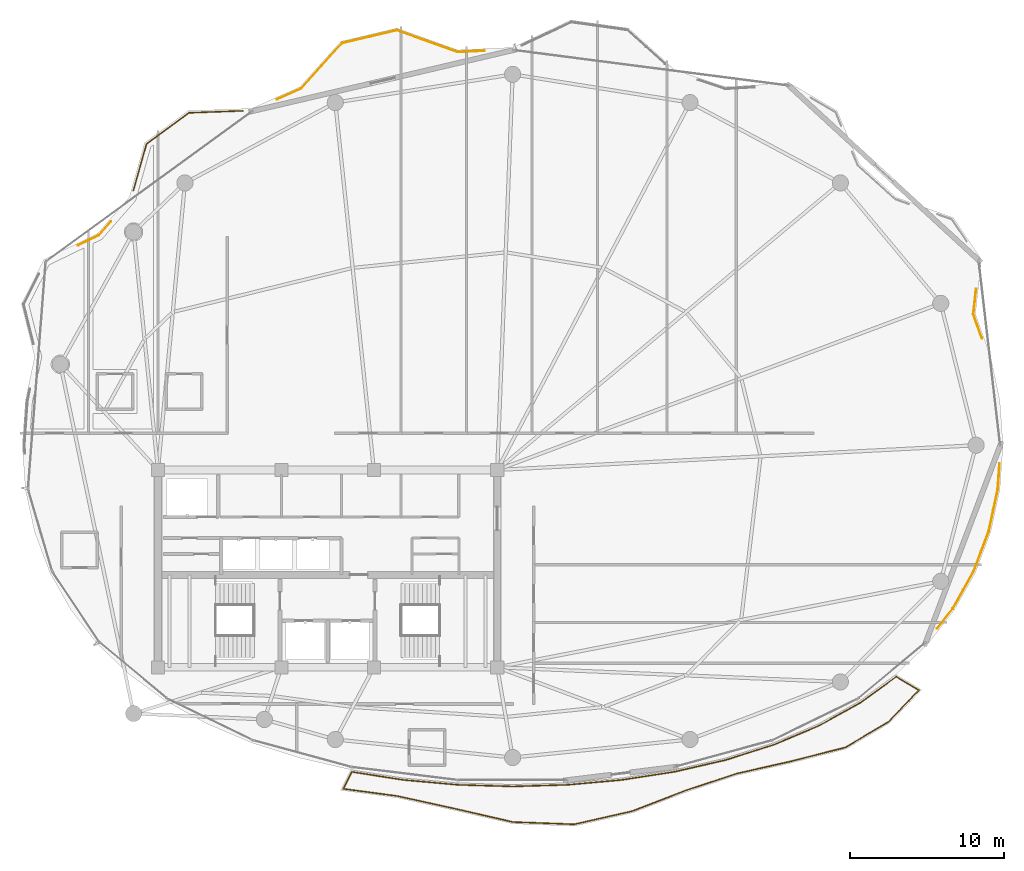
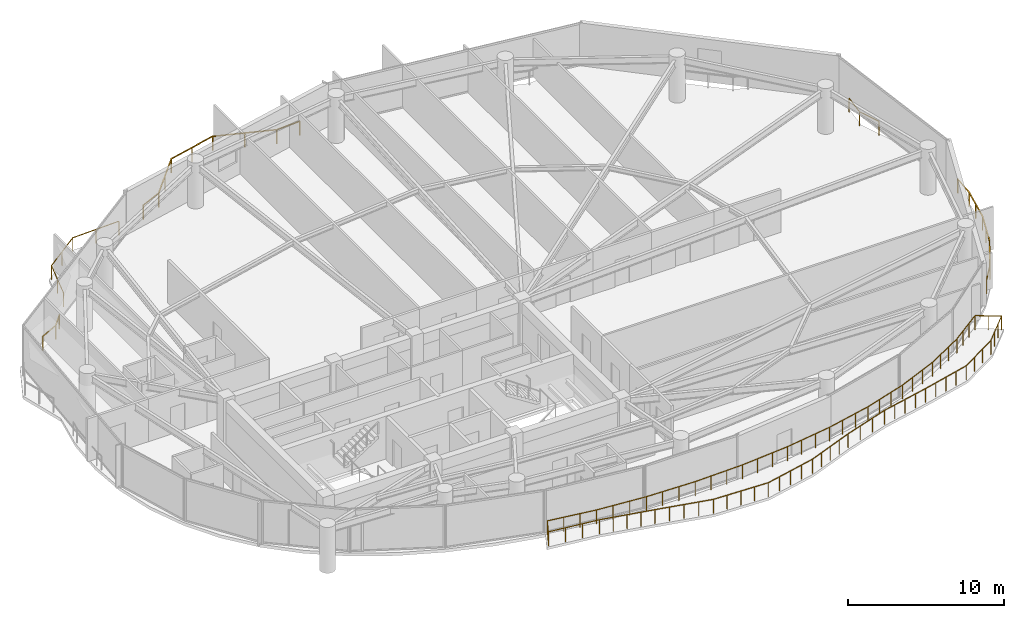
# One storey, part 30 of 31: 6 railings.
"""IFC4 building model written with IfcOpenShell, lengths in metres."""

from ifc_helpers import new_model, si_unit, direction, frame, origin, origin_2d, place, context, subcontext, project, spatial, rectangle, extrude, material, type_object, element, save


model = new_model("IFC4")

# Units and contexts
model_context = context("Model", 3, precision=1e-05, world=origin(), true_north=direction((0.0, 1.0)))
body_context = subcontext(model_context, "Body", "Model", "MODEL_VIEW")
ifc_project = project(units=[si_unit("LENGTHUNIT", "METRE"), si_unit("AREAUNIT", "SQUARE_METRE"), si_unit("VOLUMEUNIT", "CUBIC_METRE"), si_unit("PLANEANGLEUNIT", "RADIAN"), si_unit("MASSUNIT", "GRAM", prefix="KILO")], contexts=[model_context])

# Site, building, storey
site_placement = place(None, origin())
site = spatial("IfcSite", under=ifc_project, at=site_placement, CompositionType="ELEMENT")
building_placement = place(site_placement, origin())
building = spatial("IfcBuilding", under=site, at=building_placement, Name="Kazevale Care Tower and Concert Hall", CompositionType="ELEMENT")
storey_placement = place(building_placement, frame((0.0, 0.0, 220.800048828125)))
storey = spatial("IfcBuildingStorey", under=building, at=storey_placement, Name="L58", CompositionType="ELEMENT", Elevation=220.800048828125)

# Railings
ifc_material = material(Name="Anodised Bronze Aluminium and Laminated Glass", Category="aluminium")
railing_type = type_object("IfcRailingType", Name="Balcony and Terrace Balustrade 1120", PredefinedType="BALUSTRADE", material=ifc_material)
railing_1_placement = place(storey_placement, frame((16.83203125, 50.968994140625, 0.0)))
element("IfcRailing", 1, at=railing_1_placement, inside=storey, type_object=railing_type, Name="rail:L58:perim:3", PredefinedType="BALUSTRADE", context=body_context, shape_type="SweptSolid", body=[
    extrude(rectangle(XDim=0.048095703125, YDim=0.048095703125, at=origin_2d()), frame((0.0, 0.0, 1.09619140625), z_axis=(0.899880965399, 0.436135584553, 0.0), x_axis=(-0.436135584553, 0.899880965399, 0.0)), (0.0, 0.0, 1.0), 1.476806640625),
    extrude(rectangle(XDim=0.048095703125, YDim=0.048095703125, at=origin_2d()), frame((1.328857421875, 0.64404296875, 1.09619140625), z_axis=(0.658533673371, 0.752551261402, 0.0), x_axis=(-0.752551261402, 0.658533673371, 0.0)), (0.0, 0.0, 1.0), 1.189208984375),
    extrude(rectangle(XDim=0.0419921875, YDim=0.0419921875, at=origin_2d()), origin(), (0.0, 0.0, 1.0), 1.072021484375),
    extrude(rectangle(XDim=0.0419921875, YDim=0.0419921875, at=origin_2d()), frame((1.328857421875, 0.64404296875, 0.0)), (0.0, 0.0, 1.0), 1.072021484375),
    extrude(rectangle(XDim=0.0419921875, YDim=0.0419921875, at=origin_2d()), frame((2.112060546875, 1.5390625, 0.0)), (0.0, 0.0, 1.0), 1.072021484375),
])
railing_2_placement = place(storey_placement, frame((20.403076171875, 54.511962890625, 0.0)))
element("IfcRailing", 2, at=railing_2_placement, inside=storey, type_object=railing_type, Name="rail:L58:perim:4", PredefinedType="BALUSTRADE", context=body_context, shape_type="SweptSolid", body=[
    extrude(rectangle(XDim=0.048095703125, YDim=0.048095703125, at=origin_2d()), frame((0.0, 0.0, 1.09619140625), z_axis=(0.27160216444, 0.962409613559, 0.0), x_axis=(-0.962409613559, 0.27160216444, 0.0)), (0.0, 0.0, 1.0), 3.144287109375),
    extrude(rectangle(XDim=0.048095703125, YDim=0.048095703125, at=origin_2d()), frame((0.85400390625, 3.026123046875, 1.09619140625), z_axis=(0.805881115656, 0.592077382973, 0.0), x_axis=(-0.592077382973, 0.805881115656, 0.0)), (0.0, 0.0, 1.0), 3.40966796875),
    extrude(rectangle(XDim=0.048095703125, YDim=0.048095703125, at=origin_2d()), frame((3.601806640625, 5.044921875, 1.09619140625), z_axis=(0.999339175446, 0.036348485787, 0.0), x_axis=(-0.036348485787, 0.999339175446, 0.0)), (0.0, 0.0, 1.0), 3.499267578125),
    extrude(rectangle(XDim=0.0419921875, YDim=0.0419921875, at=origin_2d()), origin(), (0.0, 0.0, 1.0), 1.072021484375),
    extrude(rectangle(XDim=0.0419921875, YDim=0.0419921875, at=origin_2d()), frame((0.427001953125, 1.51318359375, 0.0)), (0.0, 0.0, 1.0), 1.072021484375),
    extrude(rectangle(XDim=0.0419921875, YDim=0.0419921875, at=origin_2d()), frame((0.85400390625, 3.026123046875, 0.0)), (0.0, 0.0, 1.0), 1.072021484375),
    extrude(rectangle(XDim=0.0419921875, YDim=0.0419921875, at=origin_2d()), frame((2.22802734375, 4.03564453125, 0.0)), (0.0, 0.0, 1.0), 1.072021484375),
    extrude(rectangle(XDim=0.0419921875, YDim=0.0419921875, at=origin_2d()), frame((3.601806640625, 5.044921875, 0.0)), (0.0, 0.0, 1.0), 1.072021484375),
    extrude(rectangle(XDim=0.0419921875, YDim=0.0419921875, at=origin_2d()), frame((5.350341796875, 5.1083984375, 0.0)), (0.0, 0.0, 1.0), 1.072021484375),
    extrude(rectangle(XDim=0.0419921875, YDim=0.0419921875, at=origin_2d()), frame((7.098876953125, 5.172119140625, 0.0)), (0.0, 0.0, 1.0), 1.072021484375),
])
railing_3_placement = place(storey_placement, frame((29.737060546875, 60.43505859375, 0.0)))
element("IfcRailing", 3, at=railing_3_placement, inside=storey, type_object=railing_type, Name="rail:L58:perim:5", PredefinedType="BALUSTRADE", context=body_context, shape_type="SweptSolid", body=[
    extrude(rectangle(XDim=0.048095703125, YDim=0.048095703125, at=origin_2d()), frame((0.0, 0.0, 1.09619140625), z_axis=(0.912729386392, 0.408564642641, 0.0), x_axis=(-0.408564642641, 0.912729386392, 0.0)), (0.0, 0.0, 1.0), 1.6982421875),
    extrude(rectangle(XDim=0.048095703125, YDim=0.048095703125, at=origin_2d()), frame((1.550048828125, 0.69384765625, 1.09619140625), z_axis=(0.668500240789, 0.743711925456, 0.0), x_axis=(-0.743711925456, 0.668500240789, 0.0)), (0.0, 0.0, 1.0), 3.950439453125),
    extrude(rectangle(XDim=0.048095703125, YDim=0.048095703125, at=origin_2d()), frame((4.19091796875, 3.6318359375, 1.09619140625), z_axis=(0.97312090779, 0.2302948085, 0.0), x_axis=(-0.2302948085, 0.97312090779, 0.0)), (0.0, 0.0, 1.0), 3.652099609375),
    extrude(rectangle(XDim=0.048095703125, YDim=0.048095703125, at=origin_2d()), frame((7.744873046875, 4.472900390625, 1.09619140625), z_axis=(0.941350252636, -0.337431032749, 0.0), x_axis=(0.337431032749, 0.941350252636, 0.0)), (0.0, 0.0, 1.0), 4.18115234375),
    extrude(rectangle(XDim=0.048095703125, YDim=0.048095703125, at=origin_2d()), frame((11.680908203125, 3.06201171875, 1.09619140625), z_axis=(0.998977358959, 0.045213231333, 0.0), x_axis=(-0.045213231333, 0.998977358959, 0.0)), (0.0, 0.0, 1.0), 1.765625),
    extrude(rectangle(XDim=0.0419921875, YDim=0.0419921875, at=origin_2d()), origin(), (0.0, 0.0, 1.0), 1.072021484375),
    extrude(rectangle(XDim=0.0419921875, YDim=0.0419921875, at=origin_2d()), frame((1.550048828125, 0.69384765625, 0.0)), (0.0, 0.0, 1.0), 1.072021484375),
    extrude(rectangle(XDim=0.0419921875, YDim=0.0419921875, at=origin_2d()), frame((2.87060546875, 2.162841796875, 0.0)), (0.0, 0.0, 1.0), 1.072021484375),
    extrude(rectangle(XDim=0.0419921875, YDim=0.0419921875, at=origin_2d()), frame((4.19091796875, 3.6318359375, 0.0)), (0.0, 0.0, 1.0), 1.072021484375),
    extrude(rectangle(XDim=0.0419921875, YDim=0.0419921875, at=origin_2d()), frame((5.9677734375, 4.05224609375, 0.0)), (0.0, 0.0, 1.0), 1.072021484375),
    extrude(rectangle(XDim=0.0419921875, YDim=0.0419921875, at=origin_2d()), frame((7.744873046875, 4.472900390625, 0.0)), (0.0, 0.0, 1.0), 1.072021484375),
    extrude(rectangle(XDim=0.0419921875, YDim=0.0419921875, at=origin_2d()), frame((9.712890625, 3.767578125, 0.0)), (0.0, 0.0, 1.0), 1.072021484375),
    extrude(rectangle(XDim=0.0419921875, YDim=0.0419921875, at=origin_2d()), frame((11.680908203125, 3.06201171875, 0.0)), (0.0, 0.0, 1.0), 1.072021484375),
    extrude(rectangle(XDim=0.0419921875, YDim=0.0419921875, at=origin_2d()), frame((13.44482421875, 3.141845703125, 0.0)), (0.0, 0.0, 1.0), 1.072021484375),
])
railing_4_placement = place(storey_placement, frame((76.576904296875, 36.81103515625, 0.0)))
element("IfcRailing", 4, at=railing_4_placement, inside=storey, type_object=railing_type, Name="rail:L58:perim:11", PredefinedType="BALUSTRADE", context=body_context, shape_type="SweptSolid", body=[
    extrude(rectangle(XDim=0.048095703125, YDim=0.048095703125, at=origin_2d()), frame((0.0, 0.0, 1.09619140625), z_axis=(-0.069683140934, -0.997569175481, 0.0), x_axis=(0.997569175481, -0.069683140934, 0.0)), (0.0, 0.0, 1.0), 1.664306640625),
    extrude(rectangle(XDim=0.048095703125, YDim=0.048095703125, at=origin_2d()), frame((-0.115966796875, -1.66015625, 1.09619140625), z_axis=(-0.210886672564, -0.97751051725, 0.0), x_axis=(0.97751051725, -0.210886672564, 0.0)), (0.0, 0.0, 1.0), 2.81201171875),
    extrude(rectangle(XDim=0.048095703125, YDim=0.048095703125, at=origin_2d()), frame((-0.708984375, -4.408935546875, 1.09619140625), z_axis=(-0.352914941795, -0.935655408715, 0.0), x_axis=(0.935655408715, -0.352914941795, 0.0)), (0.0, 0.0, 1.0), 2.77685546875),
    extrude(rectangle(XDim=0.048095703125, YDim=0.048095703125, at=origin_2d()), frame((-1.68896484375, -7.007080078125, 1.09619140625), z_axis=(-0.490131162051, -0.871648692987, 0.0), x_axis=(0.871648692987, -0.490131162051, 0.0)), (0.0, 0.0, 1.0), 2.762451171875),
    extrude(rectangle(XDim=0.048095703125, YDim=0.048095703125, at=origin_2d()), frame((-3.04296875, -9.4150390625, 1.09619140625), z_axis=(-0.615507243123, -0.788131228707, 0.0), x_axis=(0.788131228707, -0.615507243123, 0.0)), (0.0, 0.0, 1.0), 1.6279296875),
    extrude(rectangle(XDim=0.0419921875, YDim=0.0419921875, at=origin_2d()), origin(), (0.0, 0.0, 1.0), 1.072021484375),
    extrude(rectangle(XDim=0.0419921875, YDim=0.0419921875, at=origin_2d()), frame((-0.115966796875, -1.66015625, 0.0)), (0.0, 0.0, 1.0), 1.072021484375),
    extrude(rectangle(XDim=0.0419921875, YDim=0.0419921875, at=origin_2d()), frame((-0.41259765625, -3.03466796875, 0.0)), (0.0, 0.0, 1.0), 1.072021484375),
    extrude(rectangle(XDim=0.0419921875, YDim=0.0419921875, at=origin_2d()), frame((-0.708984375, -4.408935546875, 0.0)), (0.0, 0.0, 1.0), 1.072021484375),
    extrude(rectangle(XDim=0.0419921875, YDim=0.0419921875, at=origin_2d()), frame((-1.198974609375, -5.7080078125, 0.0)), (0.0, 0.0, 1.0), 1.072021484375),
    extrude(rectangle(XDim=0.0419921875, YDim=0.0419921875, at=origin_2d()), frame((-1.68896484375, -7.007080078125, 0.0)), (0.0, 0.0, 1.0), 1.072021484375),
    extrude(rectangle(XDim=0.0419921875, YDim=0.0419921875, at=origin_2d()), frame((-2.365966796875, -8.2109375, 0.0)), (0.0, 0.0, 1.0), 1.072021484375),
    extrude(rectangle(XDim=0.0419921875, YDim=0.0419921875, at=origin_2d()), frame((-3.04296875, -9.4150390625, 0.0)), (0.0, 0.0, 1.0), 1.072021484375),
    extrude(rectangle(XDim=0.0419921875, YDim=0.0419921875, at=origin_2d()), frame((-4.044921875, -10.697998046875, 0.0)), (0.0, 0.0, 1.0), 1.072021484375),
])
railing_5_placement = place(storey_placement, frame((75.054931640625, 48.138916015625, 0.0)))
element("IfcRailing", 5, at=railing_5_placement, inside=storey, type_object=railing_type, Name="rail:L58:perim:12", PredefinedType="BALUSTRADE", context=body_context, shape_type="SweptSolid", body=[
    extrude(rectangle(XDim=0.048095703125, YDim=0.048095703125, at=origin_2d()), frame((0.0, 0.0, 1.09619140625), z_axis=(-0.110627099756, -0.993861984784, 0.0), x_axis=(0.993861984784, -0.110627099756, 0.0)), (0.0, 0.0, 1.0), 1.64404296875),
    extrude(rectangle(XDim=0.048095703125, YDim=0.048095703125, at=origin_2d()), frame((-0.181884765625, -1.634033203125, 1.09619140625), z_axis=(0.334582750454, -0.942366374134, 0.0), x_axis=(0.942366374134, 0.334582750454, 0.0)), (0.0, 0.0, 1.0), 1.65869140625),
    extrude(rectangle(XDim=0.0419921875, YDim=0.0419921875, at=origin_2d()), origin(), (0.0, 0.0, 1.0), 1.072021484375),
    extrude(rectangle(XDim=0.0419921875, YDim=0.0419921875, at=origin_2d()), frame((-0.181884765625, -1.634033203125, 0.0)), (0.0, 0.0, 1.0), 1.072021484375),
    extrude(rectangle(XDim=0.0419921875, YDim=0.0419921875, at=origin_2d()), frame((0.373046875, -3.197021484375, 0.0)), (0.0, 0.0, 1.0), 1.072021484375),
])
railing_6_placement = place(storey_placement, frame((34.56298828125, 16.819091796875, 0.0)))
element("IfcRailing", 6, at=railing_6_placement, inside=storey, type_object=railing_type, Name="rail:L58:balcony", PredefinedType="BALUSTRADE", context=body_context, shape_type="SweptSolid", body=[
    extrude(rectangle(XDim=0.048095703125, YDim=0.048095703125, at=origin_2d()), frame((0.0, 0.0, 1.09619140625), z_axis=(0.988093340761, -0.15385561395, 0.0), x_axis=(0.15385561395, 0.988093340761, 0.0)), (0.0, 0.0, 1.0), 3.38623046875),
    extrude(rectangle(XDim=0.048095703125, YDim=0.048095703125, at=origin_2d()), frame((3.345947265625, -0.52099609375, 1.09619140625), z_axis=(0.995947899496, -0.089932093766, 0.0), x_axis=(0.089932093766, 0.995947899496, 0.0)), (0.0, 0.0, 1.0), 3.537353515625),
    extrude(rectangle(XDim=0.048095703125, YDim=0.048095703125, at=origin_2d()), frame((6.868896484375, -0.839111328125, 1.09619140625), z_axis=(0.999567458851, -0.029409100739, 0.0), x_axis=(0.029409100739, 0.999567458851, 0.0)), (0.0, 0.0, 1.0), 3.569580078125),
    extrude(rectangle(XDim=0.048095703125, YDim=0.048095703125, at=origin_2d()), frame((10.43701171875, -0.944091796875, 1.09619140625), z_axis=(0.999567458851, 0.029409100739, 0.0), x_axis=(-0.029409100739, 0.999567458851, 0.0)), (0.0, 0.0, 1.0), 3.569580078125),
    extrude(rectangle(XDim=0.048095703125, YDim=0.048095703125, at=origin_2d()), frame((14.005126953125, -0.839111328125, 1.09619140625), z_axis=(0.995947899496, 0.089932093766, 0.0), x_axis=(-0.089932093766, 0.995947899496, 0.0)), (0.0, 0.0, 1.0), 3.537353515625),
    extrude(rectangle(XDim=0.048095703125, YDim=0.048095703125, at=origin_2d()), frame((17.528076171875, -0.52099609375, 1.09619140625), z_axis=(0.988098216207, 0.153824299539, 0.0), x_axis=(-0.153824299539, 0.988098216207, 0.0)), (0.0, 0.0, 1.0), 3.4775390625),
    extrude(rectangle(XDim=0.048095703125, YDim=0.048095703125, at=origin_2d()), frame((20.964111328125, 0.013916015625, 1.09619140625), z_axis=(0.974534254558, 0.224238682418, 0.0), x_axis=(-0.224238682418, 0.974534254558, 0.0)), (0.0, 0.0, 1.0), 3.389404296875),
    extrude(rectangle(XDim=0.048095703125, YDim=0.048095703125, at=origin_2d()), frame((24.26708984375, 0.77392578125, 1.09619140625), z_axis=(0.953239514235, 0.302215864078, 0.0), x_axis=(-0.302215864078, 0.953239514235, 0.0)), (0.0, 0.0, 1.0), 3.285400390625),
    extrude(rectangle(XDim=0.048095703125, YDim=0.048095703125, at=origin_2d()), frame((27.39892578125, 1.766845703125, 1.09619140625), z_axis=(0.921006567992, 0.389547046858, 0.0), x_axis=(-0.389547046858, 0.921006567992, 0.0)), (0.0, 0.0, 1.0), 3.170654296875),
    extrude(rectangle(XDim=0.048095703125, YDim=0.048095703125, at=origin_2d()), frame((30.319091796875, 3.001953125, 1.09619140625), z_axis=(0.874149737903, 0.485656499724, 0.0), x_axis=(-0.485656499724, 0.874149737903, 0.0)), (0.0, 0.0, 1.0), 3.055419921875),
    extrude(rectangle(XDim=0.048095703125, YDim=0.048095703125, at=origin_2d()), frame((32.989990234375, 4.48583984375, 1.09619140625), z_axis=(0.809111467971, 0.587655198562, 0.0), x_axis=(-0.587655198562, 0.809111467971, 0.0)), (0.0, 0.0, 1.0), 2.867431640625),
    extrude(rectangle(XDim=0.048095703125, YDim=0.048095703125, at=origin_2d()), frame((35.31005859375, 6.1708984375, 1.09619140625), z_axis=(0.85858418894, -0.512672595818, 0.0), x_axis=(0.512672595818, 0.85858418894, 0.0)), (0.0, 0.0, 1.0), 1.71435546875),
    extrude(rectangle(XDim=0.048095703125, YDim=0.048095703125, at=origin_2d()), frame((36.781982421875, 5.2919921875, 1.09619140625), z_axis=(-0.695569922239, -0.718458407479, 0.0), x_axis=(0.718458407479, -0.695569922239, 0.0)), (0.0, 0.0, 1.0), 2.847900390625),
    extrude(rectangle(XDim=0.048095703125, YDim=0.048095703125, at=origin_2d()), frame((34.801025390625, 3.245849609375, 1.09619140625), z_axis=(-0.859486704174, -0.511158102106, 0.0), x_axis=(0.511158102106, -0.859486704174, 0.0)), (0.0, 0.0, 1.0), 3.24169921875),
    extrude(rectangle(XDim=0.048095703125, YDim=0.048095703125, at=origin_2d()), frame((32.014892578125, 1.5888671875, 1.09619140625), z_axis=(-0.968865461963, -0.247587795772, 0.0), x_axis=(0.247587795772, -0.968865461963, 0.0)), (0.0, 0.0, 1.0), 3.6474609375),
    extrude(rectangle(XDim=0.048095703125, YDim=0.048095703125, at=origin_2d()), frame((28.48095703125, 0.685791015625, 1.09619140625), z_axis=(-0.975393580974, -0.220470774013, 0.0), x_axis=(0.220470774013, -0.975393580974, 0.0)), (0.0, 0.0, 1.0), 3.60546875),
    extrude(rectangle(XDim=0.048095703125, YDim=0.048095703125, at=origin_2d()), frame((24.964111328125, -0.109130859375, 1.09619140625), z_axis=(-0.949113452756, -0.314934364268, 0.0), x_axis=(0.314934364268, -0.949113452756, 0.0)), (0.0, 0.0, 1.0), 3.51171875),
    extrude(rectangle(XDim=0.048095703125, YDim=0.048095703125, at=origin_2d()), frame((21.631103515625, -1.215087890625, 1.09619140625), z_axis=(-0.932492019345, -0.361190578308, 0.0), x_axis=(0.361190578308, -0.932492019345, 0.0)), (0.0, 0.0, 1.0), 3.66015625),
    extrude(rectangle(XDim=0.048095703125, YDim=0.048095703125, at=origin_2d()), frame((18.218017578125, -2.537109375, 1.09619140625), z_axis=(-0.974917543519, -0.222566357158, 0.0), x_axis=(0.222566357158, -0.974917543519, 0.0)), (0.0, 0.0, 1.0), 3.873291015625),
    extrude(rectangle(XDim=0.048095703125, YDim=0.048095703125, at=origin_2d()), frame((14.44189453125, -3.399169921875, 1.09619140625), z_axis=(-0.999310553949, 0.037127035515, 0.0), x_axis=(-0.037127035515, -0.999310553949, 0.0)), (0.0, 0.0, 1.0), 3.991455078125),
    extrude(rectangle(XDim=0.048095703125, YDim=0.048095703125, at=origin_2d()), frame((10.453125, -3.2509765625, 1.09619140625), z_axis=(-0.974552884513, 0.224157701825, 0.0), x_axis=(-0.224157701825, -0.974552884513, 0.0)), (0.0, 0.0, 1.0), 3.9384765625),
    extrude(rectangle(XDim=0.048095703125, YDim=0.048095703125, at=origin_2d()), frame((6.614990234375, -2.3681640625, 1.09619140625), z_axis=(-0.976652953385, 0.214823203226, 0.0), x_axis=(-0.214823203226, -0.976652953385, 0.0)), (0.0, 0.0, 1.0), 3.742431640625),
    extrude(rectangle(XDim=0.048095703125, YDim=0.048095703125, at=origin_2d()), frame((2.9599609375, -1.564208984375, 1.09619140625), z_axis=(-0.991325840674, 0.131427080972, 0.0), x_axis=(-0.131427080972, -0.991325840674, 0.0)), (0.0, 0.0, 1.0), 3.538818359375),
    extrude(rectangle(XDim=0.048095703125, YDim=0.048095703125, at=origin_2d()), frame((-0.548095703125, -1.09912109375, 1.09619140625), z_axis=(0.4462592011, 0.89490375205, 0.0), x_axis=(-0.89490375205, 0.4462592011, 0.0)), (0.0, 0.0, 1.0), 1.228271484375),
    extrude(rectangle(XDim=0.0419921875, YDim=0.0419921875, at=origin_2d()), origin(), (0.0, 0.0, 1.0), 1.072021484375),
    extrude(rectangle(XDim=0.0419921875, YDim=0.0419921875, at=origin_2d()), frame((1.115234375, -0.173583984375, 0.0)), (0.0, 0.0, 1.0), 1.072021484375),
    extrude(rectangle(XDim=0.0419921875, YDim=0.0419921875, at=origin_2d()), frame((2.230712890625, -0.347412109375, 0.0)), (0.0, 0.0, 1.0), 1.072021484375),
    extrude(rectangle(XDim=0.0419921875, YDim=0.0419921875, at=origin_2d()), frame((3.345947265625, -0.52099609375, 0.0)), (0.0, 0.0, 1.0), 1.072021484375),
    extrude(rectangle(XDim=0.0419921875, YDim=0.0419921875, at=origin_2d()), frame((4.520263671875, -0.626953125, 0.0)), (0.0, 0.0, 1.0), 1.072021484375),
    extrude(rectangle(XDim=0.0419921875, YDim=0.0419921875, at=origin_2d()), frame((5.694580078125, -0.733154296875, 0.0)), (0.0, 0.0, 1.0), 1.072021484375),
    extrude(rectangle(XDim=0.0419921875, YDim=0.0419921875, at=origin_2d()), frame((6.868896484375, -0.839111328125, 0.0)), (0.0, 0.0, 1.0), 1.072021484375),
    extrude(rectangle(XDim=0.0419921875, YDim=0.0419921875, at=origin_2d()), frame((8.058349609375, -0.8740234375, 0.0)), (0.0, 0.0, 1.0), 1.072021484375),
    extrude(rectangle(XDim=0.0419921875, YDim=0.0419921875, at=origin_2d()), frame((9.24755859375, -0.9091796875, 0.0)), (0.0, 0.0, 1.0), 1.072021484375),
    extrude(rectangle(XDim=0.0419921875, YDim=0.0419921875, at=origin_2d()), frame((10.43701171875, -0.944091796875, 0.0)), (0.0, 0.0, 1.0), 1.072021484375),
    extrude(rectangle(XDim=0.0419921875, YDim=0.0419921875, at=origin_2d()), frame((11.62646484375, -0.9091796875, 0.0)), (0.0, 0.0, 1.0), 1.072021484375),
    extrude(rectangle(XDim=0.0419921875, YDim=0.0419921875, at=origin_2d()), frame((12.815673828125, -0.8740234375, 0.0)), (0.0, 0.0, 1.0), 1.072021484375),
    extrude(rectangle(XDim=0.0419921875, YDim=0.0419921875, at=origin_2d()), frame((14.005126953125, -0.839111328125, 0.0)), (0.0, 0.0, 1.0), 1.072021484375),
    extrude(rectangle(XDim=0.0419921875, YDim=0.0419921875, at=origin_2d()), frame((15.179443359375, -0.733154296875, 0.0)), (0.0, 0.0, 1.0), 1.072021484375),
    extrude(rectangle(XDim=0.0419921875, YDim=0.0419921875, at=origin_2d()), frame((16.353759765625, -0.626953125, 0.0)), (0.0, 0.0, 1.0), 1.072021484375),
    extrude(rectangle(XDim=0.0419921875, YDim=0.0419921875, at=origin_2d()), frame((17.528076171875, -0.52099609375, 0.0)), (0.0, 0.0, 1.0), 1.072021484375),
    extrude(rectangle(XDim=0.0419921875, YDim=0.0419921875, at=origin_2d()), frame((18.67333984375, -0.3427734375, 0.0)), (0.0, 0.0, 1.0), 1.072021484375),
    extrude(rectangle(XDim=0.0419921875, YDim=0.0419921875, at=origin_2d()), frame((19.81884765625, -0.164306640625, 0.0)), (0.0, 0.0, 1.0), 1.072021484375),
    extrude(rectangle(XDim=0.0419921875, YDim=0.0419921875, at=origin_2d()), frame((20.964111328125, 0.013916015625, 0.0)), (0.0, 0.0, 1.0), 1.072021484375),
    extrude(rectangle(XDim=0.0419921875, YDim=0.0419921875, at=origin_2d()), frame((22.065185546875, 0.267333984375, 0.0)), (0.0, 0.0, 1.0), 1.072021484375),
    extrude(rectangle(XDim=0.0419921875, YDim=0.0419921875, at=origin_2d()), frame((23.166015625, 0.5205078125, 0.0)), (0.0, 0.0, 1.0), 1.072021484375),
    extrude(rectangle(XDim=0.0419921875, YDim=0.0419921875, at=origin_2d()), frame((24.26708984375, 0.77392578125, 0.0)), (0.0, 0.0, 1.0), 1.072021484375),
    extrude(rectangle(XDim=0.0419921875, YDim=0.0419921875, at=origin_2d()), frame((25.31103515625, 1.10498046875, 0.0)), (0.0, 0.0, 1.0), 1.072021484375),
    extrude(rectangle(XDim=0.0419921875, YDim=0.0419921875, at=origin_2d()), frame((26.35498046875, 1.435791015625, 0.0)), (0.0, 0.0, 1.0), 1.072021484375),
    extrude(rectangle(XDim=0.0419921875, YDim=0.0419921875, at=origin_2d()), frame((27.39892578125, 1.766845703125, 0.0)), (0.0, 0.0, 1.0), 1.072021484375),
    extrude(rectangle(XDim=0.0419921875, YDim=0.0419921875, at=origin_2d()), frame((28.372314453125, 2.178466796875, 0.0)), (0.0, 0.0, 1.0), 1.072021484375),
    extrude(rectangle(XDim=0.0419921875, YDim=0.0419921875, at=origin_2d()), frame((29.345703125, 2.59033203125, 0.0)), (0.0, 0.0, 1.0), 1.072021484375),
    extrude(rectangle(XDim=0.0419921875, YDim=0.0419921875, at=origin_2d()), frame((30.319091796875, 3.001953125, 0.0)), (0.0, 0.0, 1.0), 1.072021484375),
    extrude(rectangle(XDim=0.0419921875, YDim=0.0419921875, at=origin_2d()), frame((31.20947265625, 3.49658203125, 0.0)), (0.0, 0.0, 1.0), 1.072021484375),
    extrude(rectangle(XDim=0.0419921875, YDim=0.0419921875, at=origin_2d()), frame((32.099609375, 3.9912109375, 0.0)), (0.0, 0.0, 1.0), 1.072021484375),
    extrude(rectangle(XDim=0.0419921875, YDim=0.0419921875, at=origin_2d()), frame((32.989990234375, 4.48583984375, 0.0)), (0.0, 0.0, 1.0), 1.072021484375),
    extrude(rectangle(XDim=0.0419921875, YDim=0.0419921875, at=origin_2d()), frame((33.763427734375, 5.047607421875, 0.0)), (0.0, 0.0, 1.0), 1.072021484375),
    extrude(rectangle(XDim=0.0419921875, YDim=0.0419921875, at=origin_2d()), frame((34.53662109375, 5.609130859375, 0.0)), (0.0, 0.0, 1.0), 1.072021484375),
    extrude(rectangle(XDim=0.0419921875, YDim=0.0419921875, at=origin_2d()), frame((35.31005859375, 6.1708984375, 0.0)), (0.0, 0.0, 1.0), 1.072021484375),
    extrude(rectangle(XDim=0.0419921875, YDim=0.0419921875, at=origin_2d()), frame((36.0458984375, 5.7314453125, 0.0)), (0.0, 0.0, 1.0), 1.072021484375),
    extrude(rectangle(XDim=0.0419921875, YDim=0.0419921875, at=origin_2d()), frame((36.781982421875, 5.2919921875, 0.0)), (0.0, 0.0, 1.0), 1.072021484375),
    extrude(rectangle(XDim=0.0419921875, YDim=0.0419921875, at=origin_2d()), frame((36.12158203125, 4.60986328125, 0.0)), (0.0, 0.0, 1.0), 1.072021484375),
    extrude(rectangle(XDim=0.0419921875, YDim=0.0419921875, at=origin_2d()), frame((35.46142578125, 3.927978515625, 0.0)), (0.0, 0.0, 1.0), 1.072021484375),
    extrude(rectangle(XDim=0.0419921875, YDim=0.0419921875, at=origin_2d()), frame((34.801025390625, 3.245849609375, 0.0)), (0.0, 0.0, 1.0), 1.072021484375),
    extrude(rectangle(XDim=0.0419921875, YDim=0.0419921875, at=origin_2d()), frame((33.872314453125, 2.693603515625, 0.0)), (0.0, 0.0, 1.0), 1.072021484375),
    extrude(rectangle(XDim=0.0419921875, YDim=0.0419921875, at=origin_2d()), frame((32.943603515625, 2.14111328125, 0.0)), (0.0, 0.0, 1.0), 1.072021484375),
    extrude(rectangle(XDim=0.0419921875, YDim=0.0419921875, at=origin_2d()), frame((32.014892578125, 1.5888671875, 0.0)), (0.0, 0.0, 1.0), 1.072021484375),
    extrude(rectangle(XDim=0.0419921875, YDim=0.0419921875, at=origin_2d()), frame((31.13134765625, 1.363037109375, 0.0)), (0.0, 0.0, 1.0), 1.072021484375),
    extrude(rectangle(XDim=0.0419921875, YDim=0.0419921875, at=origin_2d()), frame((30.248046875, 1.13720703125, 0.0)), (0.0, 0.0, 1.0), 1.072021484375),
    extrude(rectangle(XDim=0.0419921875, YDim=0.0419921875, at=origin_2d()), frame((29.364501953125, 0.91162109375, 0.0)), (0.0, 0.0, 1.0), 1.072021484375),
    extrude(rectangle(XDim=0.0419921875, YDim=0.0419921875, at=origin_2d()), frame((28.48095703125, 0.685791015625, 0.0)), (0.0, 0.0, 1.0), 1.072021484375),
    extrude(rectangle(XDim=0.0419921875, YDim=0.0419921875, at=origin_2d()), frame((27.601806640625, 0.487060546875, 0.0)), (0.0, 0.0, 1.0), 1.072021484375),
    extrude(rectangle(XDim=0.0419921875, YDim=0.0419921875, at=origin_2d()), frame((26.72265625, 0.288330078125, 0.0)), (0.0, 0.0, 1.0), 1.072021484375),
    extrude(rectangle(XDim=0.0419921875, YDim=0.0419921875, at=origin_2d()), frame((25.84326171875, 0.089599609375, 0.0)), (0.0, 0.0, 1.0), 1.072021484375),
    extrude(rectangle(XDim=0.0419921875, YDim=0.0419921875, at=origin_2d()), frame((24.964111328125, -0.109130859375, 0.0)), (0.0, 0.0, 1.0), 1.072021484375),
    extrude(rectangle(XDim=0.0419921875, YDim=0.0419921875, at=origin_2d()), frame((23.85302734375, -0.477783203125, 0.0)), (0.0, 0.0, 1.0), 1.072021484375),
    extrude(rectangle(XDim=0.0419921875, YDim=0.0419921875, at=origin_2d()), frame((22.7421875, -0.846435546875, 0.0)), (0.0, 0.0, 1.0), 1.072021484375),
    extrude(rectangle(XDim=0.0419921875, YDim=0.0419921875, at=origin_2d()), frame((21.631103515625, -1.215087890625, 0.0)), (0.0, 0.0, 1.0), 1.072021484375),
    extrude(rectangle(XDim=0.0419921875, YDim=0.0419921875, at=origin_2d()), frame((20.77783203125, -1.545654296875, 0.0)), (0.0, 0.0, 1.0), 1.072021484375),
    extrude(rectangle(XDim=0.0419921875, YDim=0.0419921875, at=origin_2d()), frame((19.924560546875, -1.8759765625, 0.0)), (0.0, 0.0, 1.0), 1.072021484375),
    extrude(rectangle(XDim=0.0419921875, YDim=0.0419921875, at=origin_2d()), frame((19.0712890625, -2.20654296875, 0.0)), (0.0, 0.0, 1.0), 1.072021484375),
    extrude(rectangle(XDim=0.0419921875, YDim=0.0419921875, at=origin_2d()), frame((18.218017578125, -2.537109375, 0.0)), (0.0, 0.0, 1.0), 1.072021484375),
    extrude(rectangle(XDim=0.0419921875, YDim=0.0419921875, at=origin_2d()), frame((17.27392578125, -2.752685546875, 0.0)), (0.0, 0.0, 1.0), 1.072021484375),
    extrude(rectangle(XDim=0.0419921875, YDim=0.0419921875, at=origin_2d()), frame((16.330078125, -2.96826171875, 0.0)), (0.0, 0.0, 1.0), 1.072021484375),
    extrude(rectangle(XDim=0.0419921875, YDim=0.0419921875, at=origin_2d()), frame((15.385986328125, -3.18359375, 0.0)), (0.0, 0.0, 1.0), 1.072021484375),
    extrude(rectangle(XDim=0.0419921875, YDim=0.0419921875, at=origin_2d()), frame((14.44189453125, -3.399169921875, 0.0)), (0.0, 0.0, 1.0), 1.072021484375),
    extrude(rectangle(XDim=0.0419921875, YDim=0.0419921875, at=origin_2d()), frame((13.44482421875, -3.362060546875, 0.0)), (0.0, 0.0, 1.0), 1.072021484375),
    extrude(rectangle(XDim=0.0419921875, YDim=0.0419921875, at=origin_2d()), frame((12.447509765625, -3.3251953125, 0.0)), (0.0, 0.0, 1.0), 1.072021484375),
    extrude(rectangle(XDim=0.0419921875, YDim=0.0419921875, at=origin_2d()), frame((11.4501953125, -3.2880859375, 0.0)), (0.0, 0.0, 1.0), 1.072021484375),
    extrude(rectangle(XDim=0.0419921875, YDim=0.0419921875, at=origin_2d()), frame((10.453125, -3.2509765625, 0.0)), (0.0, 0.0, 1.0), 1.072021484375),
    extrude(rectangle(XDim=0.0419921875, YDim=0.0419921875, at=origin_2d()), frame((9.49365234375, -3.0302734375, 0.0)), (0.0, 0.0, 1.0), 1.072021484375),
    extrude(rectangle(XDim=0.0419921875, YDim=0.0419921875, at=origin_2d()), frame((8.5341796875, -2.8095703125, 0.0)), (0.0, 0.0, 1.0), 1.072021484375),
    extrude(rectangle(XDim=0.0419921875, YDim=0.0419921875, at=origin_2d()), frame((7.574462890625, -2.5888671875, 0.0)), (0.0, 0.0, 1.0), 1.072021484375),
    extrude(rectangle(XDim=0.0419921875, YDim=0.0419921875, at=origin_2d()), frame((6.614990234375, -2.3681640625, 0.0)), (0.0, 0.0, 1.0), 1.072021484375),
    extrude(rectangle(XDim=0.0419921875, YDim=0.0419921875, at=origin_2d()), frame((5.701171875, -2.167236328125, 0.0)), (0.0, 0.0, 1.0), 1.072021484375),
    extrude(rectangle(XDim=0.0419921875, YDim=0.0419921875, at=origin_2d()), frame((4.78759765625, -1.96630859375, 0.0)), (0.0, 0.0, 1.0), 1.072021484375),
    extrude(rectangle(XDim=0.0419921875, YDim=0.0419921875, at=origin_2d()), frame((3.873779296875, -1.76513671875, 0.0)), (0.0, 0.0, 1.0), 1.072021484375),
    extrude(rectangle(XDim=0.0419921875, YDim=0.0419921875, at=origin_2d()), frame((2.9599609375, -1.564208984375, 0.0)), (0.0, 0.0, 1.0), 1.072021484375),
    extrude(rectangle(XDim=0.0419921875, YDim=0.0419921875, at=origin_2d()), frame((1.79052734375, -1.4091796875, 0.0)), (0.0, 0.0, 1.0), 1.072021484375),
    extrude(rectangle(XDim=0.0419921875, YDim=0.0419921875, at=origin_2d()), frame((0.621337890625, -1.254150390625, 0.0)), (0.0, 0.0, 1.0), 1.072021484375),
    extrude(rectangle(XDim=0.0419921875, YDim=0.0419921875, at=origin_2d()), frame((-0.548095703125, -1.09912109375, 0.0)), (0.0, 0.0, 1.0), 1.072021484375),
    extrude(rectangle(XDim=0.0419921875, YDim=0.0419921875, at=origin_2d()), frame((-0.27392578125, -0.549560546875, 0.0)), (0.0, 0.0, 1.0), 1.072021484375),
])

save(model, "model.ifc")
